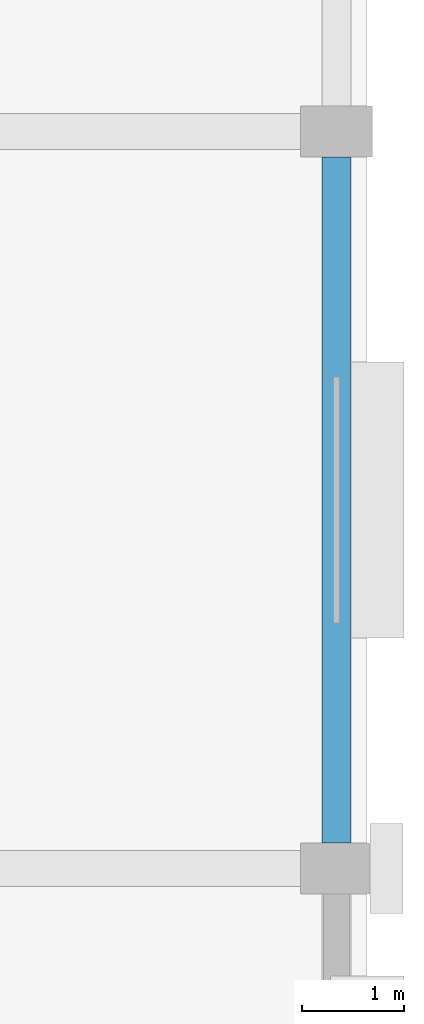
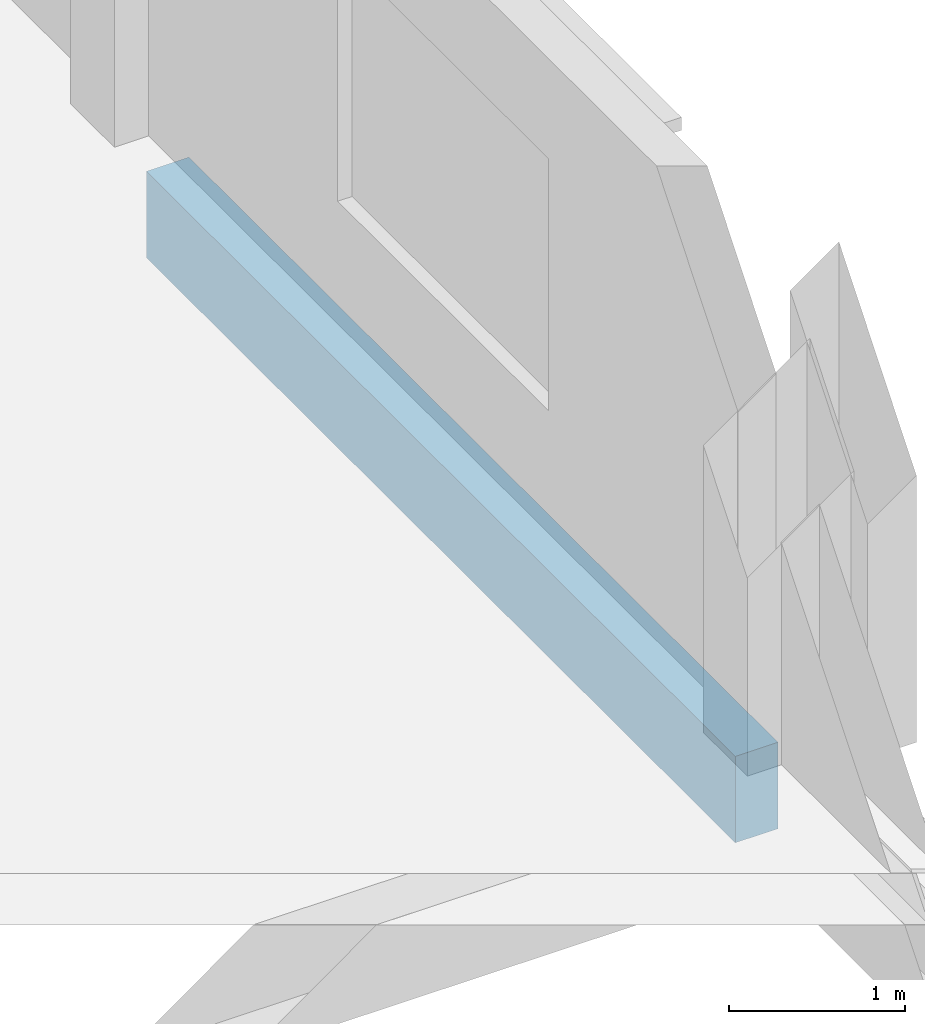
# One storey, part 37 of 77: 1 beam.
"""IFC4 building model written with IfcOpenShell, lengths in metres."""

from ifc_helpers import new_model, si_unit, direction, frame, origin, origin_2d, place, context, subcontext, project, spatial, rectangle, extrude, material, material_profile, profile_set, type_object, element, save


model = new_model("IFC4")

# Units and contexts
model_context = context("Model", 3, precision=1e-05, world=origin(), true_north=direction((0.0, 1.0)))
body_context = subcontext(model_context, "Body", "Model", "MODEL_VIEW")
ifc_project = project(units=[si_unit("LENGTHUNIT", "METRE"), si_unit("AREAUNIT", "SQUARE_METRE"), si_unit("VOLUMEUNIT", "CUBIC_METRE"), si_unit("PLANEANGLEUNIT", "RADIAN"), si_unit("MASSUNIT", "GRAM", prefix="KILO")], contexts=[model_context])

# Site, building, storey
site_placement = place(None, origin())
site = spatial("IfcSite", under=ifc_project, at=site_placement, CompositionType="ELEMENT")
building_placement = place(site_placement, origin())
building = spatial("IfcBuilding", under=site, at=building_placement, Name="Kangsadwip Square Police Headquarters", CompositionType="ELEMENT")
storey_placement = place(building_placement, frame((0.0, 0.0, 17.550048828125)))
storey = spatial("IfcBuildingStorey", under=building, at=storey_placement, Name="L04", CompositionType="ELEMENT", Elevation=17.550048828125)

# Beam
ifc_material = material(Name="Concrete M40 (40 MPa)", Category="concrete")
ifc_material_profile = material_profile(ifc_material, rectangle(XDim=0.280029296875, YDim=0.60009765625, at=origin_2d()), Name="RC SPN 600X280")
ifc_profile_set = profile_set([ifc_material_profile], Name="Concrete M40 (40 MPa)")
beam_type = type_object("IfcBeamType", Name="RcSpandrel600x280", PredefinedType="SPANDREL", material=ifc_profile_set)
beam_placement = place(storey_placement, frame((165.60009765625, 79.449951171875, -0.5400390625), z_axis=(0.0, 1.0, 0.0), x_axis=(-1.0, 0.0, 0.0)))
element("IfcBeam", 1, at=beam_placement, inside=storey, type_object=beam_type, Name="Beam BM-L04-Y-23-11", PredefinedType="SPANDREL", context=body_context, shape_type="SweptSolid", body=[
    extrude(rectangle(XDim=0.280029296875, YDim=0.60009765625, at=origin_2d()), origin(), (0.0, 0.0, 1.0), 6.699951171875),
])

save(model, "model.ifc")
